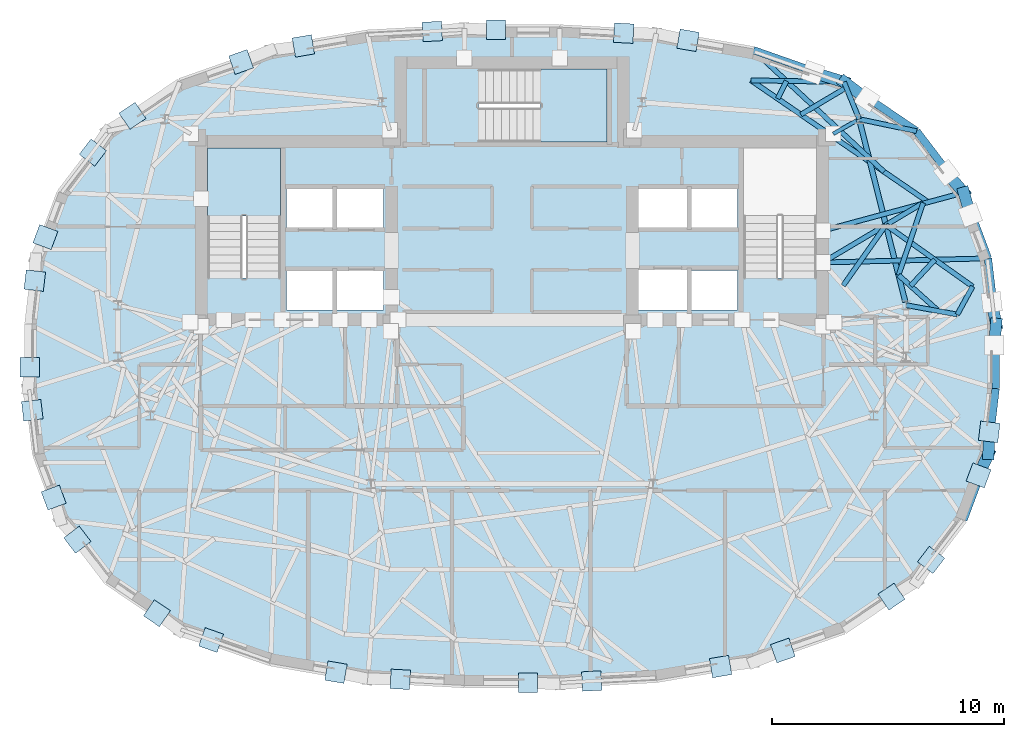
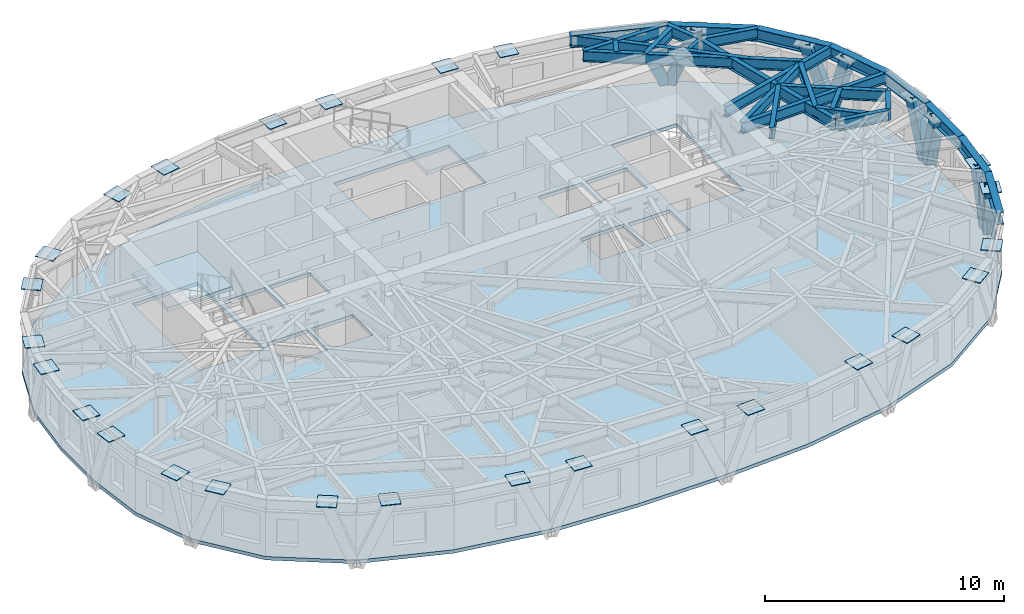
# One storey, part 4 of 12: 27 beams, 26 plates, 8 members, 3 slabs, 2 elements without a shape of their own.
"""IFC4 building model written with IfcOpenShell, lengths in metres."""

from ifc_helpers import new_model, si_unit, direction, frame, origin, origin_2d, place, context, subcontext, project, spatial, polyline, rectangle, hollow_rectangle, i_section, outline, extrude, material, layer, layer_set, material_profile, profile_set, type_object, element, aggregate, save


model = new_model("IFC4")

# Units and contexts
model_context = context("Model", 3, precision=1e-05, world=origin(), true_north=direction((0.0, 1.0)))
body_context = subcontext(model_context, "Body", "Model", "MODEL_VIEW")
ifc_project = project(units=[si_unit("LENGTHUNIT", "METRE"), si_unit("AREAUNIT", "SQUARE_METRE"), si_unit("VOLUMEUNIT", "CUBIC_METRE"), si_unit("PLANEANGLEUNIT", "RADIAN"), si_unit("MASSUNIT", "GRAM", prefix="KILO")], contexts=[model_context])

# Site, building, storey
site_placement = place(None, origin())
site = spatial("IfcSite", under=ifc_project, at=site_placement, CompositionType="ELEMENT")
building_placement = place(site_placement, origin())
building = spatial("IfcBuilding", under=site, at=building_placement, Name="Keldmark Tower", CompositionType="ELEMENT")
storey_placement = place(building_placement, frame((0.0, 0.0, 254.10009765625)))
storey = spatial("IfcBuildingStorey", under=building, at=storey_placement, Name="L72", CompositionType="ELEMENT", Elevation=254.10009765625)

# Members
ifc_material_1 = material(Name="Steel ASTM A572 Grade 50", Category="steel")
ifc_material_profile_1 = material_profile(ifc_material_1, hollow_rectangle(XDim=0.5, YDim=0.5, WallThickness=0.030029296875, at=origin_2d()), Name="BOX500X500X30")
ifc_profile_set_1 = profile_set([ifc_material_profile_1], Name="Steel ASTM A572 Grade 50")
member_type = type_object("IfcMemberType", Name="Diagrid Upper Brace BOX500X500X30", PredefinedType="BRACE", material=ifc_profile_set_1)
member_1_placement = place(storey_placement, frame((20.911865234375, 1.39453125, -0.260009765625), z_axis=(-0.058443886893, 0.288618270701, 0.955658833425), x_axis=(-0.980107507453, -0.198467311751, 0.0)))
element("IfcMember", 1, at=member_1_placement, inside=storey, type_object=member_type, Name="L72 Perimeter Diagrid Brace 01A", PredefinedType="BRACE", context=body_context, shape_type="SweptSolid", body=[
    extrude(hollow_rectangle(XDim=0.5, YDim=0.5, WallThickness=0.030029296875, at=origin_2d()), origin(), (0.0, 0.0, 1.0), 3.254150390625),
])
member_2_placement = place(storey_placement, frame((19.516357421875, 7.076171875, -0.260009765625), z_axis=(0.086147069868, -0.297259646633, 0.950902405527), x_axis=(0.960479451146, 0.278350900709, 0.0)))
element("IfcMember", 2, at=member_2_placement, inside=storey, type_object=member_type, Name="L72 Perimeter Diagrid Brace 01B", PredefinedType="BRACE", context=body_context, shape_type="SweptSolid", body=[
    extrude(hollow_rectangle(XDim=0.5, YDim=0.5, WallThickness=0.030029296875, at=origin_2d()), origin(), (0.0, 0.0, 1.0), 3.2705078125),
])
member_3_placement = place(storey_placement, frame((19.520751953125, 7.065185546875, -0.260009765625), z_axis=(-0.225369749936, 0.25950327765, 0.939077485995), x_axis=(-0.755016351596, -0.655705962168, 0.0)))
element("IfcMember", 3, at=member_3_placement, inside=storey, type_object=member_type, Name="L72 Perimeter Diagrid Brace 02A", PredefinedType="BRACE", context=body_context, shape_type="SweptSolid", body=[
    extrude(hollow_rectangle(XDim=0.5, YDim=0.5, WallThickness=0.030029296875, at=origin_2d()), origin(), (0.0, 0.0, 1.0), 3.3115234375),
])
member_4_placement = place(storey_placement, frame((14.345947265625, 11.852294921875, -0.260009765625), z_axis=(0.29668799606, -0.224028223996, 0.928325152006), x_axis=(0.602600118446, 0.798043292841, 0.0)))
element("IfcMember", 4, at=member_4_placement, inside=storey, type_object=member_type, Name="L72 Perimeter Diagrid Brace 02B", PredefinedType="BRACE", context=body_context, shape_type="SweptSolid", body=[
    extrude(hollow_rectangle(XDim=0.5, YDim=0.5, WallThickness=0.030029296875, at=origin_2d()), origin(), (0.0, 0.0, 1.0), 3.349853515625),
])
member_5_placement = place(storey_placement, frame((14.354248046875, 11.843994140625, -0.260009765625), z_axis=(-0.396827385968, 0.121705159411, 0.90978892053), x_axis=(-0.29321512236, -0.956046490512, 0.0)))
element("IfcMember", 5, at=member_5_placement, inside=storey, type_object=member_type, Name="L72 Perimeter Diagrid Brace 03A", PredefinedType="BRACE", context=body_context, shape_type="SweptSolid", body=[
    extrude(hollow_rectangle(XDim=0.5, YDim=0.5, WallThickness=0.030029296875, at=origin_2d()), origin(), (0.0, 0.0, 1.0), 3.418212890625),
])
member_6_placement = place(storey_placement, frame((20.583984375, -4.216064453125, -0.260009765625), z_axis=(-0.131007306033, -0.284159842512, 0.949784327976), x_axis=(0.908133666455, -0.418680360001, 0.0)))
element("IfcMember", 6, at=member_6_placement, inside=storey, type_object=member_type, Name="L72 Perimeter Diagrid Brace 15B", PredefinedType="BRACE", context=body_context, shape_type="SweptSolid", body=[
    extrude(hollow_rectangle(XDim=0.5, YDim=0.5, WallThickness=0.030029296875, at=origin_2d()), origin(), (0.0, 0.0, 1.0), 3.274169921875),
])
member_7_placement = place(storey_placement, frame((20.57958984375, -4.22705078125, -0.260009765625), z_axis=(0.010425746481, 0.295071127019, 0.95541840772), x_axis=(-0.999376373603, 0.03531095982, 0.0)))
element("IfcMember", 7, at=member_7_placement, inside=storey, type_object=member_type, Name="L72 Perimeter Diagrid Brace 16A", PredefinedType="BRACE", context=body_context, shape_type="SweptSolid", body=[
    extrude(hollow_rectangle(XDim=0.5, YDim=0.5, WallThickness=0.030029296875, at=origin_2d()), origin(), (0.0, 0.0, 1.0), 3.2548828125),
])
member_8_placement = place(storey_placement, frame((20.911865234375, 1.40625, -0.260009765625), z_axis=(-0.02450092812, -0.287923483517, 0.957339945976), x_axis=(0.996398942295, -0.084788842388, 0.0)))
element("IfcMember", 8, at=member_8_placement, inside=storey, type_object=member_type, Name="L72 Perimeter Diagrid Brace 16B", PredefinedType="BRACE", context=body_context, shape_type="SweptSolid", body=[
    extrude(hollow_rectangle(XDim=0.5, YDim=0.5, WallThickness=0.030029296875, at=origin_2d()), origin(), (0.0, 0.0, 1.0), 3.24853515625),
])

# Beams
ifc_material_2 = material(Name="Steel ASTM A992 Grade 50", Category="steel")
ifc_material_profile_2 = material_profile(ifc_material_2, i_section(OverallWidth=0.22802734375, OverallDepth=0.60302734375, WebThickness=0.010498046875, FlangeThickness=0.014892578125, at=origin_2d()), Name="W24X68")
ifc_profile_set_2 = profile_set([ifc_material_profile_2], Name="Steel ASTM A992 Grade 50")
beam_type_1 = type_object("IfcBeamType", Name="Primary Floor Girder W24X68", PredefinedType="BEAM", material=ifc_profile_set_2)
beam_1_placement = place(storey_placement, frame((16.9912109375, 2.34375, 2.66845703125), z_axis=(-0.244902129455, 0.969547805417, 0.0), x_axis=(-0.969547805417, -0.244902129455, 0.0)))
element("IfcBeam", 9, at=beam_1_placement, inside=storey, type_object=beam_type_1, Name="L72 Floor Ring Girder FG-R01", PredefinedType="BEAM", context=body_context, shape_type="SweptSolid", body=[
    extrude(i_section(OverallWidth=0.22802734375, OverallDepth=0.60302734375, WebThickness=0.010498046875, FlangeThickness=0.014892578125, at=origin_2d()), origin(), (0.0, 0.0, 1.0), 8.008056640625),
])
ifc_material_3 = material(Name="Steel ASTM A992 Grade 50", Category="steel")
ifc_material_profile_3 = material_profile(ifc_material_3, i_section(OverallWidth=0.166015625, OverallDepth=0.529052734375, WebThickness=0.009765625, FlangeThickness=0.013671875, at=origin_2d()), Name="W21X50")
ifc_profile_set_3 = profile_set([ifc_material_profile_3], Name="Steel ASTM A992 Grade 50")
beam_type_2 = type_object("IfcBeamType", Name="Radial Tie Girder W21X50", PredefinedType="BEAM", material=ifc_profile_set_3)
beam_2_placement = place(storey_placement, frame((14.8740234375, 10.174560546875, 2.705322265625), z_axis=(-0.869238046195, -0.494393789451, 0.0), x_axis=(0.494393789451, -0.869238046195, 0.0)))
element("IfcBeam", 10, at=beam_2_placement, inside=storey, type_object=beam_type_2, Name="L72 Floor Radial Girder FG-C02", PredefinedType="BEAM", context=body_context, shape_type="SweptSolid", body=[
    extrude(i_section(OverallWidth=0.166015625, OverallDepth=0.529052734375, WebThickness=0.009765625, FlangeThickness=0.013671875, at=origin_2d()), origin(), (0.0, 0.0, 1.0), 1.145751953125),
])
ifc_material_4 = material(Name="Steel ASTM A992 Grade 50", Category="steel")
ifc_material_profile_4 = material_profile(ifc_material_4, i_section(OverallWidth=0.2099609375, OverallDepth=0.537109375, WebThickness=0.010986328125, FlangeThickness=0.017333984375, at=origin_2d()), Name="W21X68")
ifc_profile_set_4 = profile_set([ifc_material_profile_4], Name="Steel ASTM A992 Grade 50")
beam_type_3 = type_object("IfcBeamType", Name="Radial Tie Girder W21X68", PredefinedType="BEAM", material=ifc_profile_set_4)
beam_3_placement = place(storey_placement, frame((17.025634765625, 2.2080078125, 2.701416015625), z_axis=(0.983476121369, -0.181037892988, 0.0), x_axis=(0.181037892988, 0.983476121369, 0.0)))
element("IfcBeam", 11, at=beam_3_placement, inside=storey, type_object=beam_type_3, Name="L72 Local Collector Chord RT-01C", PredefinedType="BEAM", context=body_context, shape_type="SweptSolid", body=[
    extrude(i_section(OverallWidth=0.2099609375, OverallDepth=0.537109375, WebThickness=0.010986328125, FlangeThickness=0.017333984375, at=origin_2d()), origin(), (0.0, 0.0, 1.0), 2.245361328125),
])
beam_4_placement = place(storey_placement, frame((16.697021484375, 3.50830078125, 2.701416015625), z_axis=(0.743007277482, -0.669283337316, 0.0), x_axis=(0.669283337316, 0.743007277482, 0.0)))
element("IfcBeam", 12, at=beam_4_placement, inside=storey, type_object=beam_type_3, Name="L72 Framing Pin Header PH-011", PredefinedType="BEAM", context=body_context, shape_type="SweptSolid", body=[
    extrude(i_section(OverallWidth=0.2099609375, OverallDepth=0.537109375, WebThickness=0.010986328125, FlangeThickness=0.017333984375, at=origin_2d()), origin(), (0.0, 0.0, 1.0), 2.328125),
])
beam_5_placement = place(storey_placement, frame((19.23388671875, 1.801513671875, 2.701416015625), z_axis=(0.479606382533, 0.877483742205, 0.0), x_axis=(-0.877483742205, 0.479606382533, 0.0)))
element("IfcBeam", 13, at=beam_5_placement, inside=storey, type_object=beam_type_3, Name="L72 Local Collector Chord RT-02C", PredefinedType="BEAM", context=body_context, shape_type="SweptSolid", body=[
    extrude(i_section(OverallWidth=0.2099609375, OverallDepth=0.537109375, WebThickness=0.010986328125, FlangeThickness=0.017333984375, at=origin_2d()), origin(), (0.0, 0.0, 1.0), 1.383056640625),
])
beam_6_placement = place(storey_placement, frame((14.30517578125, 3.0537109375, 2.701416015625), z_axis=(0.576395798646, 0.817170657393, 0.0), x_axis=(-0.817170657393, 0.576395798646, 0.0)))
element("IfcBeam", 14, at=beam_6_placement, inside=storey, type_object=beam_type_3, Name="L72 Framing Pin Header PH-012", PredefinedType="BEAM", context=body_context, shape_type="SweptSolid", body=[
    extrude(i_section(OverallWidth=0.2099609375, OverallDepth=0.537109375, WebThickness=0.010986328125, FlangeThickness=0.017333984375, at=origin_2d()), origin(), (0.0, 0.0, 1.0), 3.2021484375),
])
beam_7_placement = place(storey_placement, frame((13.425048828125, 4.050048828125, 2.701416015625), z_axis=(0.859616315813, 0.510940103719, 0.0), x_axis=(-0.510940103719, 0.859616315813, 0.0)))
element("IfcBeam", 15, at=beam_7_placement, inside=storey, type_object=beam_type_3, Name="L72 Intermediate Radial Step Girder RT-03M", PredefinedType="BEAM", context=body_context, shape_type="SweptSolid", body=[
    extrude(i_section(OverallWidth=0.2099609375, OverallDepth=0.537109375, WebThickness=0.010986328125, FlangeThickness=0.017333984375, at=origin_2d()), origin(), (0.0, 0.0, 1.0), 5.044921875),
])
beam_8_placement = place(storey_placement, frame((16.697021484375, 3.50830078125, 2.701416015625), z_axis=(0.32301926925, 0.946392387804, 0.0), x_axis=(-0.946392387804, 0.32301926925, 0.0)))
element("IfcBeam", 16, at=beam_8_placement, inside=storey, type_object=beam_type_3, Name="L72 Local Collector Chord RT-03C", PredefinedType="BEAM", context=body_context, shape_type="SweptSolid", body=[
    extrude(i_section(OverallWidth=0.2099609375, OverallDepth=0.537109375, WebThickness=0.010986328125, FlangeThickness=0.017333984375, at=origin_2d()), origin(), (0.0, 0.0, 1.0), 3.296142578125),
])
beam_9_placement = place(storey_placement, frame((13.425048828125, 5.425048828125, 2.701416015625), z_axis=(0.965369727845, 0.260885585192, 0.0), x_axis=(-0.260885585192, 0.965369727845, 0.0)))
element("IfcBeam", 17, at=beam_9_placement, inside=storey, type_object=beam_type_3, Name="L72 Perimeter Radial Tie Girder RT-03", PredefinedType="BEAM", context=body_context, shape_type="SweptSolid", body=[
    extrude(i_section(OverallWidth=0.2099609375, OverallDepth=0.537109375, WebThickness=0.010986328125, FlangeThickness=0.017333984375, at=origin_2d()), origin(), (0.0, 0.0, 1.0), 6.296142578125),
])
beam_10_placement = place(storey_placement, frame((14.995849609375, 10.24365234375, 2.701416015625), z_axis=(0.978687595441, -0.205354791836, 0.0), x_axis=(0.205354791836, 0.978687595441, 0.0)))
element("IfcBeam", 18, at=beam_10_placement, inside=storey, type_object=beam_type_3, Name="L72 Perimeter Column Bracket RT-04", PredefinedType="BEAM", context=body_context, shape_type="SweptSolid", body=[
    extrude(i_section(OverallWidth=0.2099609375, OverallDepth=0.537109375, WebThickness=0.010986328125, FlangeThickness=0.017333984375, at=origin_2d()), origin(), (0.0, 0.0, 1.0), 2.533447265625),
])
beam_11_placement = place(storey_placement, frame((14.995849609375, 10.24365234375, 2.701416015625), z_axis=(-0.377529645139, 0.925997498399, 0.0), x_axis=(-0.925997498399, -0.377529645139, 0.0)))
element("IfcBeam", 19, at=beam_11_placement, inside=storey, type_object=beam_type_3, Name="L72 Perimeter Column Bracket RT-05", PredefinedType="BEAM", context=body_context, shape_type="SweptSolid", body=[
    extrude(i_section(OverallWidth=0.2099609375, OverallDepth=0.537109375, WebThickness=0.010986328125, FlangeThickness=0.017333984375, at=origin_2d()), origin(), (0.0, 0.0, 1.0), 1.732421875),
])
beam_12_placement = place(storey_placement, frame((14.439697265625, 11.607421875, 2.701416015625), z_axis=(-0.858951495237, -0.51205695858, 0.0), x_axis=(0.51205695858, -0.858951495237, 0.0)))
element("IfcBeam", 20, at=beam_12_placement, inside=storey, type_object=beam_type_3, Name="L72 Framing Pin Header PH-013", PredefinedType="BEAM", context=body_context, shape_type="SweptSolid", body=[
    extrude(i_section(OverallWidth=0.2099609375, OverallDepth=0.537109375, WebThickness=0.010986328125, FlangeThickness=0.017333984375, at=origin_2d()), origin(), (0.0, 0.0, 1.0), 2.28369140625),
])
beam_13_placement = place(storey_placement, frame((17.983642578125, 6.656982421875, 2.701416015625), z_axis=(-0.824331600924, 0.566107244008, 0.0), x_axis=(-0.566107244008, -0.824331600924, 0.0)))
element("IfcBeam", 21, at=beam_13_placement, inside=storey, type_object=beam_type_3, Name="L72 Intermediate Radial Step Girder RT-06M", PredefinedType="BEAM", context=body_context, shape_type="SweptSolid", body=[
    extrude(i_section(OverallWidth=0.2099609375, OverallDepth=0.537109375, WebThickness=0.010986328125, FlangeThickness=0.017333984375, at=origin_2d()), origin(), (0.0, 0.0, 1.0), 9.2919921875),
])
beam_14_placement = place(storey_placement, frame((14.341796875, 11.847900390625, 2.701416015625), z_axis=(-0.999851129599, 0.017254525175, 0.0), x_axis=(-0.017254525175, -0.999851129599, 0.0)))
element("IfcBeam", 22, at=beam_14_placement, inside=storey, type_object=beam_type_3, Name="L72 Local Collector Chord RT-06C", PredefinedType="BEAM", context=body_context, shape_type="SweptSolid", body=[
    extrude(i_section(OverallWidth=0.2099609375, OverallDepth=0.537109375, WebThickness=0.010986328125, FlangeThickness=0.017333984375, at=origin_2d()), origin(), (0.0, 0.0, 1.0), 4.018310546875),
])
beam_15_placement = place(storey_placement, frame((11.472900390625, 11.12841796875, 2.701416015625), z_axis=(0.449386262764, 0.893337554813, 0.0), x_axis=(-0.893337554813, 0.449386262764, 0.0)))
element("IfcBeam", 23, at=beam_15_placement, inside=storey, type_object=beam_type_3, Name="L72 Framing Pin Header PH-014", PredefinedType="BEAM", context=body_context, shape_type="SweptSolid", body=[
    extrude(i_section(OverallWidth=0.2099609375, OverallDepth=0.537109375, WebThickness=0.010986328125, FlangeThickness=0.017333984375, at=origin_2d()), origin(), (0.0, 0.0, 1.0), 0.853515625),
])
beam_16_placement = place(storey_placement, frame((16.068603515625, 7.97216796875, 2.701416015625), z_axis=(-0.732142292292, 0.681151718663, 0.0), x_axis=(-0.681151718663, -0.732142292292, 0.0)))
element("IfcBeam", 24, at=beam_16_placement, inside=storey, type_object=beam_type_3, Name="L72 Perimeter Radial Tie Girder RT-06", PredefinedType="BEAM", context=body_context, shape_type="SweptSolid", body=[
    extrude(i_section(OverallWidth=0.2099609375, OverallDepth=0.537109375, WebThickness=0.010986328125, FlangeThickness=0.017333984375, at=origin_2d()), origin(), (0.0, 0.0, 1.0), 7.70849609375),
])
beam_17_placement = place(storey_placement, frame((19.897216796875, 3.01513671875, 2.701416015625), z_axis=(-0.815858306024, 0.578251869424, 0.0), x_axis=(-0.578251869424, -0.815858306024, 0.0)))
element("IfcBeam", 25, at=beam_17_placement, inside=storey, type_object=beam_type_3, Name="L72 Straddling Support Chord RT-02RB", PredefinedType="BEAM", context=body_context, shape_type="SweptSolid", body=[
    extrude(i_section(OverallWidth=0.2099609375, OverallDepth=0.537109375, WebThickness=0.010986328125, FlangeThickness=0.017333984375, at=origin_2d()), origin(), (0.0, 0.0, 1.0), 4.591796875),
])
beam_18_placement = place(storey_placement, frame((17.216064453125, 3.040771484375, 2.701416015625), z_axis=(0.680596754824, 0.732658213168, 0.0), x_axis=(-0.732658213168, 0.680596754824, 0.0)))
element("IfcBeam", 26, at=beam_18_placement, inside=storey, type_object=beam_type_3, Name="L72 Framing Pin Header PH-031", PredefinedType="BEAM", context=body_context, shape_type="SweptSolid", body=[
    extrude(i_section(OverallWidth=0.2099609375, OverallDepth=0.537109375, WebThickness=0.010986328125, FlangeThickness=0.017333984375, at=origin_2d()), origin(), (0.0, 0.0, 1.0), 1.542724609375),
])
beam_19_placement = place(storey_placement, frame((13.425048828125, 4.050048828125, 2.701416015625), z_axis=(0.999687347226, 0.025004155575, 0.0), x_axis=(-0.025004155575, 0.999687347226, 0.0)))
element("IfcBeam", 27, at=beam_19_placement, inside=storey, type_object=beam_type_3, Name="L72 Perimeter Radial Tie Girder RT-02R", PredefinedType="BEAM", context=body_context, shape_type="SweptSolid", body=[
    extrude(i_section(OverallWidth=0.2099609375, OverallDepth=0.537109375, WebThickness=0.010986328125, FlangeThickness=0.017333984375, at=origin_2d()), origin(), (0.0, 0.0, 1.0), 7.137451171875),
])
ifc_material_5 = material(Name="Steel ASTM A992 Grade 50", Category="steel")
ifc_material_profile_5 = material_profile(ifc_material_5, i_section(OverallWidth=0.326904296875, OverallDepth=0.6220703125, WebThickness=0.015380859375, FlangeThickness=0.0244140625, at=origin_2d()), Name="W24X131")
ifc_profile_set_5 = profile_set([ifc_material_profile_5], Name="Steel ASTM A992 Grade 50")
beam_type_4 = type_object("IfcBeamType", Name="Spandrel Ring Beam W24X131", PredefinedType="SPANDREL", material=ifc_profile_set_5)
beam_20_placement = place(storey_placement, frame((20.89208984375, 1.39501953125, 2.658935546875), z_axis=(-0.116300017341, 0.99321412896, 0.0), x_axis=(-0.99321412896, -0.116300017341, 0.0)))
element("IfcBeam", 28, at=beam_20_placement, inside=storey, type_object=beam_type_4, Name="L72 Perimeter Spandrel Ring Beam SRB-01", PredefinedType="SPANDREL", context=body_context, shape_type="SweptSolid", body=[
    extrude(i_section(OverallWidth=0.326904296875, OverallDepth=0.6220703125, WebThickness=0.015380859375, FlangeThickness=0.0244140625, at=origin_2d()), origin(), (0.0, 0.0, 1.0), 2.852783203125),
])
beam_21_placement = place(storey_placement, frame((20.560302734375, 4.228515625, 2.658935546875), z_axis=(-0.348941123734, 0.937144648476, 0.0), x_axis=(-0.937144648476, -0.348941123734, 0.0)))
element("IfcBeam", 29, at=beam_21_placement, inside=storey, type_object=beam_type_4, Name="L72 Perimeter Spandrel Ring Beam SRB-02", PredefinedType="SPANDREL", context=body_context, shape_type="SweptSolid", body=[
    extrude(i_section(OverallWidth=0.326904296875, OverallDepth=0.6220703125, WebThickness=0.015380859375, FlangeThickness=0.0244140625, at=origin_2d()), origin(), (0.0, 0.0, 1.0), 3.029541015625),
])
beam_22_placement = place(storey_placement, frame((19.503173828125, 7.067626953125, 2.658935546875), z_axis=(-0.606875003028, 0.794797289061, 0.0), x_axis=(-0.794797289061, -0.606875003028, 0.0)))
element("IfcBeam", 30, at=beam_22_placement, inside=storey, type_object=beam_type_4, Name="L72 Perimeter Spandrel Ring Beam SRB-03", PredefinedType="SPANDREL", context=body_context, shape_type="SweptSolid", body=[
    extrude(i_section(OverallWidth=0.326904296875, OverallDepth=0.6220703125, WebThickness=0.015380859375, FlangeThickness=0.0244140625, at=origin_2d()), origin(), (0.0, 0.0, 1.0), 3.341552734375),
])
beam_23_placement = place(storey_placement, frame((17.475341796875, 9.723388671875, 2.658935546875), z_axis=(-0.827699359908, 0.561171782619, 0.0), x_axis=(-0.561171782619, -0.827699359908, 0.0)))
element("IfcBeam", 31, at=beam_23_placement, inside=storey, type_object=beam_type_4, Name="L72 Perimeter Spandrel Ring Beam SRB-04", PredefinedType="SPANDREL", context=body_context, shape_type="SweptSolid", body=[
    extrude(i_section(OverallWidth=0.326904296875, OverallDepth=0.6220703125, WebThickness=0.015380859375, FlangeThickness=0.0244140625, at=origin_2d()), origin(), (0.0, 0.0, 1.0), 3.785888671875),
])
beam_24_placement = place(storey_placement, frame((14.341796875, 11.847900390625, 2.658935546875), z_axis=(-0.943553556345, 0.331219996842, 0.0), x_axis=(-0.331219996842, -0.943553556345, 0.0)))
element("IfcBeam", 32, at=beam_24_placement, inside=storey, type_object=beam_type_4, Name="L72 Perimeter Spandrel Ring Beam SRB-05", PredefinedType="SPANDREL", context=body_context, shape_type="SweptSolid", body=[
    extrude(i_section(OverallWidth=0.326904296875, OverallDepth=0.6220703125, WebThickness=0.015380859375, FlangeThickness=0.0244140625, at=origin_2d()), origin(), (0.0, 0.0, 1.0), 4.1513671875),
])
beam_25_placement = place(storey_placement, frame((19.503173828125, -7.067626953125, 2.658935546875), z_axis=(0.348941123734, 0.937144648476, 0.0), x_axis=(-0.937144648476, 0.348941123734, 0.0)))
element("IfcBeam", 33, at=beam_25_placement, inside=storey, type_object=beam_type_4, Name="L72 Perimeter Spandrel Ring Beam SRB-30", PredefinedType="SPANDREL", context=body_context, shape_type="SweptSolid", body=[
    extrude(i_section(OverallWidth=0.326904296875, OverallDepth=0.6220703125, WebThickness=0.015380859375, FlangeThickness=0.0244140625, at=origin_2d()), origin(), (0.0, 0.0, 1.0), 3.029541015625),
])
beam_26_placement = place(storey_placement, frame((20.560302734375, -4.228515625, 2.658935546875), z_axis=(0.116300017341, 0.99321412896, 0.0), x_axis=(-0.99321412896, 0.116300017341, 0.0)))
element("IfcBeam", 34, at=beam_26_placement, inside=storey, type_object=beam_type_4, Name="L72 Perimeter Spandrel Ring Beam SRB-31", PredefinedType="SPANDREL", context=body_context, shape_type="SweptSolid", body=[
    extrude(i_section(OverallWidth=0.326904296875, OverallDepth=0.6220703125, WebThickness=0.015380859375, FlangeThickness=0.0244140625, at=origin_2d()), origin(), (0.0, 0.0, 1.0), 2.852783203125),
])
beam_27_placement = place(storey_placement, frame((20.89208984375, -1.39501953125, 2.658935546875), z_axis=(0.0, 1.0, 0.0), x_axis=(-1.0, 0.0, 0.0)))
element("IfcBeam", 35, at=beam_27_placement, inside=storey, type_object=beam_type_4, Name="L72 Perimeter Spandrel Ring Beam SRB-32", PredefinedType="SPANDREL", context=body_context, shape_type="SweptSolid", body=[
    extrude(i_section(OverallWidth=0.326904296875, OverallDepth=0.6220703125, WebThickness=0.015380859375, FlangeThickness=0.0244140625, at=origin_2d()), origin(), (0.0, 0.0, 1.0), 2.7900390625),
])

# Plates
ifc_material_6 = material(Name="Steel ASTM A572 Grade 50", Category="steel")
ifc_layer_1 = layer(ifc_material_6, 0.034912109375)
ifc_layer_set_1 = layer_set([ifc_layer_1], Name="Steel ASTM A572 Grade 50")
plate_type = type_object("IfcPlateType", Name="Diagrid Node Assembly DN06 35 mm", PredefinedType="USERDEFINED", material=ifc_layer_set_1)
for number, where, z_axis, x_axis, name in (
    (36, (7.6044921875, 13.647705078125, 2.83251953125), (0.0, 0.0, 1.0), (-0.985615113142, 0.169005469575, 0.0), "L72 Diagrid Node Assembly 06"),
    (37, (4.826416015625, 13.95703125, 2.83251953125), (0.0, 0.0, 1.0), (-0.998536670326, 0.054078812985, 0.0), "L72 Diagrid Node Assembly 07"),
    (38, (-0.69189453125, 14.104736328125, 2.83251953125), (0.0, 0.0, 1.0), (-1.0, 0.0, 0.0), "L72 Diagrid Node Assembly 08"),
    (39, (-3.44482421875, 14.02978515625, 2.83251953125), (0.0, 0.0, 1.0), (-0.998536670326, -0.054078812985, 0.0), "L72 Diagrid Node Assembly 09"),
    (40, (-9.011474609375, 13.404296875, 2.83251953125), (0.0, 0.0, 1.0), (-0.985615113142, -0.169005469575, 0.0), "L72 Diagrid Node Assembly 10"),
    (41, (-11.7021484375, 12.711669921875, 2.83251953125), (0.0, 0.0, 1.0), (-0.943454320287, -0.331502557353, 0.0), "L72 Diagrid Node Assembly 11"),
    (42, (-16.392578125, 10.38525390625, 2.83251953125), (0.0, 0.0, 1.0), (-0.827668733006, -0.561216953062, 0.0), "L72 Diagrid Node Assembly 12"),
    (43, (-18.10498046875, 8.800048828125, 2.83251953125), (0.0, 0.0, 1.0), (-0.607237178966, -0.794520615517, 0.0), "L72 Diagrid Node Assembly 13"),
    (44, (-20.155029296875, 5.146484375, 2.83251953125), (0.0, 0.0, 1.0), (-0.349716892865, -0.936855428999, 0.0), "L72 Diagrid Node Assembly 14"),
    (45, (-20.613525390625, 3.2666015625, 2.83251953125), (0.0, 0.0, 1.0), (-0.1168440763, -0.993150271527, 0.0), "L72 Diagrid Node Assembly 15"),
    (46, (-20.832275390625, -0.470947265625, 2.83251953125), (0.0, 0.0, 1.0), (0.0, -1.0, 0.0), "L72 Diagrid Node Assembly 16"),
    (47, (-20.7216796875, -2.333740234375, 2.83251953125), (0.0, 0.0, 1.0), (0.1168440763, -0.993150271527, 0.0), "L72 Diagrid Node Assembly 17"),
    (48, (-19.798095703125, -6.10400390625, 2.83251953125), (0.0, 0.0, 1.0), (0.349716892865, -0.936855428999, 0.0), "L72 Diagrid Node Assembly 18"),
    (49, (-18.7744140625, -7.924560546875, 2.83251953125), (0.0, 0.0, 1.0), (0.607237178966, -0.794520615517, 0.0), "L72 Diagrid Node Assembly 19"),
    (50, (-15.33984375, -11.101806640625, 2.83251953125), (0.0, 0.0, 1.0), (0.827668733006, -0.561216953062, 0.0), "L72 Diagrid Node Assembly 20"),
    (51, (-12.997802734375, -12.260009765625, 2.83251953125), (0.0, 0.0, 1.0), (0.943454320287, -0.331502557353, 0.0), "L72 Diagrid Node Assembly 21"),
    (52, (-7.6044921875, -13.647705078125, 2.83251953125), (0.0, 0.0, 1.0), (0.985615113142, -0.169005469575, 0.0), "L72 Diagrid Node Assembly 22"),
    (53, (-4.826416015625, -13.95703125, 2.83251953125), (0.0, 0.0, 1.0), (0.998536670326, -0.054078812985, 0.0), "L72 Diagrid Node Assembly 23"),
    (54, (0.69189453125, -14.104736328125, 2.83251953125), (0.0, 0.0, 1.0), (1.0, 0.0, 0.0), "L72 Diagrid Node Assembly 24"),
    (55, (3.44482421875, -14.02978515625, 2.83251953125), (0.0, 0.0, 1.0), (0.998536670326, 0.054078812985, 0.0), "L72 Diagrid Node Assembly 25"),
    (56, (9.011474609375, -13.404296875, 2.83251953125), (0.0, 0.0, 1.0), (0.985615113142, 0.169005469575, 0.0), "L72 Diagrid Node Assembly 26"),
    (57, (11.7021484375, -12.711669921875, 2.83251953125), (0.0, 0.0, 1.0), (0.943454320287, 0.331502557353, 0.0), "L72 Diagrid Node Assembly 27"),
    (58, (16.392578125, -10.38525390625, 2.83251953125), (0.0, 0.0, 1.0), (0.827668733006, 0.561216953062, 0.0), "L72 Diagrid Node Assembly 28"),
    (59, (18.10498046875, -8.800048828125, 2.83251953125), (0.0, 0.0, 1.0), (0.607237178966, 0.794520615517, 0.0), "L72 Diagrid Node Assembly 29"),
    (60, (20.155029296875, -5.146484375, 2.83251953125), (0.0, 0.0, 1.0), (0.349716892865, 0.936855428999, 0.0), "L72 Diagrid Node Assembly 30"),
    (61, (20.613525390625, -3.2666015625, 2.83251953125), (0.0, 0.0, 1.0), (0.1168440763, 0.993150271527, 0.0), "L72 Diagrid Node Assembly 31"),
):
    element("IfcPlate", number, at=place(storey_placement, frame(where, z_axis=z_axis, x_axis=x_axis)), inside=storey, type_object=plate_type, Name=name, ObjectType="GUSSET", PredefinedType="USERDEFINED", context=body_context, shape_type="SweptSolid", body=[
        extrude(rectangle(XDim=0.840087890625, YDim=0.840087890625, at=origin_2d()), origin(), (0.0, 0.0, 1.0), 0.034912109375),
    ])

# Slab
ifc_material_7 = material(Name="Concrete C35/45", Category="concrete")
ifc_layer_2 = layer(ifc_material_7, 0.179931640625)
ifc_layer_set_2 = layer_set([ifc_layer_2], Name="Concrete C35/45")
slab_type_1 = type_object("IfcSlabType", Name="Hotel and Residential Slab 180 mm", PredefinedType="FLOOR", material=ifc_layer_set_2)
slab_1_placement = place(storey_placement, frame((0.0, 0.0, -0.18017578125)))
element("IfcSlab", 62, at=slab_1_placement, inside=storey, type_object=slab_type_1, Name="L72 Composite Structural Floor Slab", PredefinedType="FLOOR", context=body_context, shape_type="SweptSolid", body=[
    extrude(outline(polyline([(20.9716796875, 1.400390625), (20.636962890625, 4.244384765625), (19.57373046875, 7.093505859375), (17.537109375, 9.758056640625), (14.392333984375, 11.890380859375), (10.46240234375, 13.27099609375), (6.26025390625, 13.991943359375), (2.0654296875, 14.21875), (-2.0654296875, 14.21875), (-6.26025390625, 13.991943359375), (-10.46240234375, 13.27099609375), (-14.392333984375, 11.890380859375), (-17.537109375, 9.758056640625), (-19.57373046875, 7.093505859375), (-20.636962890625, 4.244384765625), (-20.9716796875, 1.400390625), (-20.9716796875, -1.400390625), (-20.636962890625, -4.244384765625), (-19.57373046875, -7.093505859375), (-17.537109375, -9.758056640625), (-14.392333984375, -11.890380859375), (-10.46240234375, -13.27099609375), (-6.26025390625, -13.991943359375), (-2.0654296875, -14.21875), (2.0654296875, -14.21875), (6.26025390625, -13.991943359375), (10.46240234375, -13.27099609375), (14.392333984375, -11.890380859375), (17.537109375, -9.758056640625), (19.57373046875, -7.093505859375), (20.636962890625, -4.244384765625), (20.9716796875, -1.400390625), (20.9716796875, 1.400390625)]), holes=[polyline([(-10.0, 3.385009765625), (-10.0, 9.0), (-13.14990234375, 9.0), (-13.14990234375, 3.385009765625), (-10.0, 3.385009765625)]), polyline([(13.14990234375, 3.385009765625), (13.14990234375, 9.0), (10.0, 9.0), (10.0, 3.385009765625), (13.14990234375, 3.385009765625)]), polyline([(-1.43994140625, 9.25), (4.10498046875, 9.25), (4.10498046875, 12.39990234375), (-1.43994140625, 12.39990234375), (-1.43994140625, 9.25)]), polyline([(-9.75, 2.0), (-7.75, 2.0), (-7.75, 3.699951171875), (-9.75, 3.699951171875), (-9.75, 2.0)]), polyline([(7.75, 2.0), (9.75, 2.0), (9.75, 3.699951171875), (7.75, 3.699951171875), (7.75, 2.0)]), polyline([(5.449951171875, 2.0), (7.550048828125, 2.0), (7.550048828125, 3.75), (5.449951171875, 3.75), (5.449951171875, 2.0)]), polyline([(-9.75, 5.550048828125), (-7.75, 5.550048828125), (-7.75, 7.25), (-9.75, 7.25), (-9.75, 5.550048828125)]), polyline([(-7.550048828125, 5.550048828125), (-5.550048828125, 5.550048828125), (-5.550048828125, 7.25), (-7.550048828125, 7.25), (-7.550048828125, 5.550048828125)]), polyline([(-7.550048828125, 2.0), (-5.550048828125, 2.0), (-5.550048828125, 3.699951171875), (-7.550048828125, 3.699951171875), (-7.550048828125, 2.0)]), polyline([(5.449951171875, 5.550048828125), (7.550048828125, 5.550048828125), (7.550048828125, 7.25), (5.449951171875, 7.25), (5.449951171875, 5.550048828125)]), polyline([(7.75, 5.550048828125), (9.75, 5.550048828125), (9.75, 7.25), (7.75, 7.25), (7.75, 5.550048828125)])]), origin(), (0.0, 0.0, 1.0), 0.18017578125),
])

# Stair, slab
ifc_material_8 = material(Name="Concrete C40/50", Category="concrete")
stair_type = type_object("IfcStairType", Name="Precast Concrete Core Exit Stair", PredefinedType="HALF_TURN_STAIR", material=ifc_material_8)
stair_1_placement = place(storey_placement, origin())
stair_1 = element("IfcStair", 63, at=stair_1_placement, inside=storey, type_object=stair_type, Name="L72 Exit Stair ST1", PredefinedType="HALF_TURN_STAIR")
ifc_material_9 = material(Name="Concrete C40/50", Category="concrete")
ifc_layer_3 = layer(ifc_material_9, 0.199951171875)
ifc_layer_set_3 = layer_set([ifc_layer_3], Name="Concrete C40/50")
slab_type_2 = type_object("IfcSlabType", Name="Reinforced Concrete Stair Landing 200 mm", PredefinedType="LANDING", material=ifc_layer_set_3)
slab_2_placement = place(storey_placement, frame((0.0, 0.0, 1.375)))
slab_2 = element("IfcSlab", 64, at=slab_2_placement, type_object=slab_type_2, Name="ST1 landing 1", PredefinedType="LANDING", context=body_context, shape_type="SweptSolid", body=[
    extrude(outline(polyline([(-10.0, 6.050048828125), (-10.0, 9.0), (-13.14990234375, 9.0), (-13.14990234375, 6.050048828125), (-10.0, 6.050048828125)])), origin(), (0.0, 0.0, 1.0), 0.199951171875),
])
aggregate(stair_1, [slab_2])

stair_2_placement = place(storey_placement, origin())
stair_2 = element("IfcStair", 65, at=stair_2_placement, inside=storey, type_object=stair_type, Name="L72 Exit Stair ST3", PredefinedType="HALF_TURN_STAIR")
slab_3_placement = place(storey_placement, frame((0.0, 0.0, 1.375)))
slab_3 = element("IfcSlab", 66, at=slab_3_placement, type_object=slab_type_2, Name="ST3 landing 1", PredefinedType="LANDING", context=body_context, shape_type="SweptSolid", body=[
    extrude(outline(polyline([(1.22509765625, 9.25), (4.10498046875, 9.25), (4.10498046875, 12.39990234375), (1.22509765625, 12.39990234375), (1.22509765625, 9.25)])), origin(), (0.0, 0.0, 1.0), 0.199951171875),
])
aggregate(stair_2, [slab_3])

save(model, "model.ifc")
